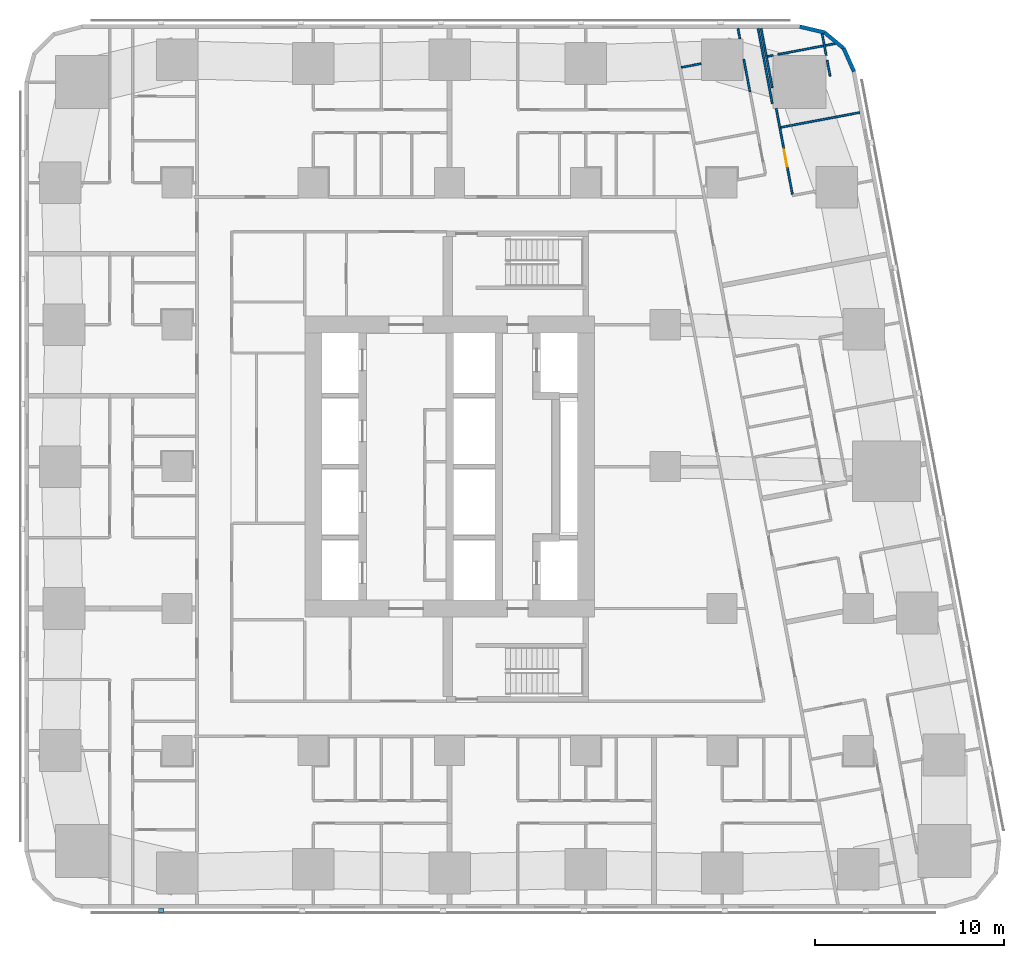
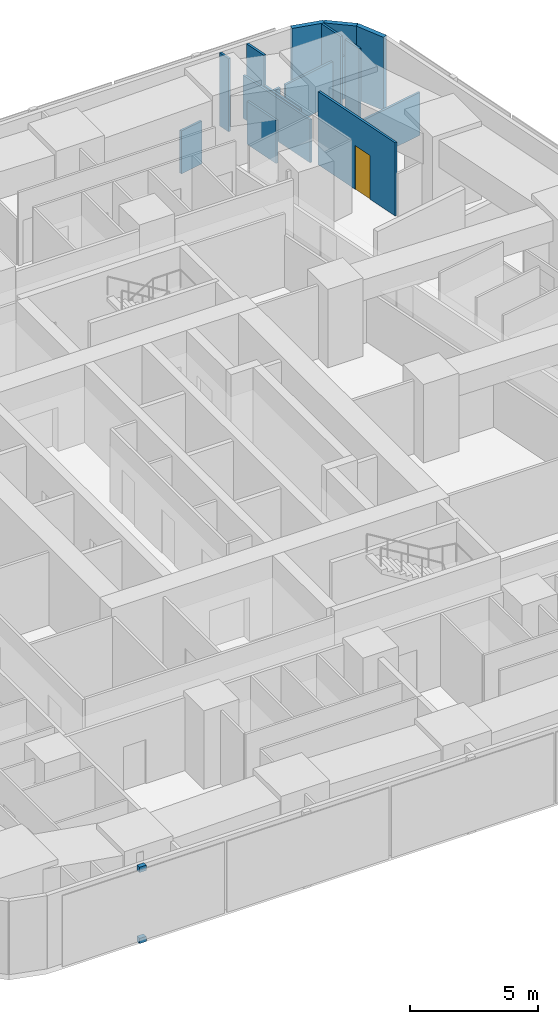
# One storey, part 10 of 15: 15 walls, 2 discrete accessories, 1 door, 1 opening.
"""IFC4 building model written with IfcOpenShell, lengths in metres."""

from ifc_helpers import new_model, si_unit, direction, frame, frame_2d, origin, origin_2d, place, context, subcontext, project, spatial, rectangle, extrude, material, layer, layer_set, type_object, element, fill, save


model = new_model("IFC4")

# Units and contexts
model_context = context("Model", 3, precision=1e-05, world=origin(), true_north=direction((0.0, 1.0)))
body_context = subcontext(model_context, "Body", "Model", "MODEL_VIEW")
ifc_project = project(units=[si_unit("LENGTHUNIT", "METRE"), si_unit("AREAUNIT", "SQUARE_METRE"), si_unit("VOLUMEUNIT", "CUBIC_METRE"), si_unit("PLANEANGLEUNIT", "RADIAN"), si_unit("MASSUNIT", "GRAM", prefix="KILO")], contexts=[model_context])

# Site, building, storey
site_placement = place(None, origin())
site = spatial("IfcSite", under=ifc_project, at=site_placement, CompositionType="ELEMENT")
building_placement = place(site_placement, origin())
building = spatial("IfcBuilding", under=site, at=building_placement, Name="Sheger Commons Tower", CompositionType="ELEMENT")
storey_placement = place(building_placement, frame((0.0, 0.0, 107.89990234375)))
storey = spatial("IfcBuildingStorey", under=building, at=storey_placement, Name="L27", CompositionType="ELEMENT", Elevation=107.89990234375)

# Walls
ifc_material_1 = material(Name="Rendered concrete block masonry, dark grey", Category="masonry")
ifc_layer_1 = layer(ifc_material_1, 0.199951171875)
ifc_layer_set_1 = layer_set([ifc_layer_1], Name="FACADE WALL 200")
wall_type_1 = type_object("IfcWallType", Name="FACADE WALL 200", PredefinedType="SOLIDWALL", material=ifc_layer_set_1)
wall_1_placement = place(storey_placement, frame((42.969970703125, 43.376953125, 0.0), z_axis=(0.0, 0.0, 1.0), x_axis=(-0.406002956633, 0.913871762998, 0.0)))
element("IfcWall", 1, at=wall_1_placement, inside=storey, type_object=wall_type_1, Name="Facade wall L27", PredefinedType="SOLIDWALL", context=body_context, shape_type="SweptSolid", body=[
    extrude(rectangle(XDim=1.33740234375, YDim=0.199951171875, at=frame_2d((0.668701171875, 0.0))), origin(), (0.0, 0.0, 1.0), 3.5),
])
wall_2_placement = place(storey_placement, frame((42.427001953125, 44.59912109375, 0.0), z_axis=(0.0, 0.0, 1.0), x_axis=(-0.770091412544, 0.637933551655, 0.0)))
element("IfcWall", 2, at=wall_2_placement, inside=storey, type_object=wall_type_1, Name="Facade wall L27", PredefinedType="SOLIDWALL", context=body_context, shape_type="SweptSolid", body=[
    extrude(rectangle(XDim=1.324462890625, YDim=0.199951171875, at=frame_2d((0.662109375, 0.0))), origin(), (0.0, 0.0, 1.0), 3.5),
])
wall_3_placement = place(storey_placement, frame((41.406982421875, 45.444091796875, 0.0), z_axis=(0.0, 0.0, 1.0), x_axis=(-0.973453091607, 0.228886606077, 0.0)))
element("IfcWall", 3, at=wall_3_placement, inside=storey, type_object=wall_type_1, Name="Facade wall L27", PredefinedType="SOLIDWALL", context=body_context, shape_type="SweptSolid", body=[
    extrude(rectangle(XDim=1.33642578125, YDim=0.199951171875, at=frame_2d((0.668212890625, 0.0))), origin(), (0.0, 0.0, 1.0), 3.5),
])
ifc_material_2 = material(Name="Gypsum board on steel studs", Category="steel")
ifc_layer_2 = layer(ifc_material_2, 0.10009765625)
ifc_layer_set_2 = layer_set([ifc_layer_2], Name="PARTITION 100")
wall_type_2 = type_object("IfcWallType", Name="PARTITION 100", PredefinedType="PARTITIONING", material=ifc_layer_set_2)
wall_4_placement = place(storey_placement, frame((38.654052734375, 41.68603515625, 0.0), z_axis=(0.0, 0.0, 1.0), x_axis=(-0.185676896978, 0.982610853761, 0.0)))
element("IfcWall", 4, at=wall_4_placement, inside=storey, type_object=wall_type_2, Name="Partition L27", PredefinedType="PARTITIONING", context=body_context, shape_type="SweptSolid", body=[
    extrude(rectangle(XDim=4.033935546875, YDim=0.10009765625, at=frame_2d((2.01708984375, 0.0))), origin(), (0.0, 0.0, 1.0), 2.050048828125),
])
wall_5_placement = place(storey_placement, frame((41.287109375, 45.3701171875, 0.0), z_axis=(0.0, 0.0, 1.0), x_axis=(0.185121628323, -0.982715616405, 0.0)))
element("IfcWall", 5, at=wall_5_placement, inside=storey, type_object=wall_type_2, Name="Partition L27", PredefinedType="PARTITIONING", context=body_context, shape_type="SweptSolid", body=[
    extrude(rectangle(XDim=1.14990234375, YDim=0.10009765625, at=frame_2d((0.574951171875, 0.0))), origin(), (0.0, 0.0, 1.0), 3.5),
])
wall_6_placement = place(storey_placement, frame((41.551025390625, 43.968994140625, 0.0), z_axis=(0.0, 0.0, 1.0), x_axis=(0.185884171512, -0.982571663942, 0.0)))
element("IfcWall", 6, at=wall_6_placement, inside=storey, type_object=wall_type_2, Name="Partition L27", PredefinedType="PARTITIONING", context=body_context, shape_type="SweptSolid", body=[
    extrude(rectangle(XDim=0.849853515625, YDim=0.10009765625, at=frame_2d((0.4248046875, 0.0))), origin(), (0.0, 0.0, 1.0), 3.5),
])
wall_7_placement = place(storey_placement, frame((38.06298828125, 45.64990234375, 0.0), z_axis=(0.0, 0.0, 1.0), x_axis=(0.185677287841, -0.982610779902, 0.0)))
element("IfcWall", 7, at=wall_7_placement, inside=storey, type_object=wall_type_2, Name="Partition L27", PredefinedType="PARTITIONING", context=body_context, shape_type="SweptSolid", body=[
    extrude(rectangle(XDim=1.0400390625, YDim=0.10009765625, at=frame_2d((0.52001953125, 0.0))), origin(), (0.0, 0.0, 1.0), 3.5),
])
wall_8_placement = place(storey_placement, frame((38.256103515625, 44.6279296875, 0.0), z_axis=(0.0, 0.0, 1.0), x_axis=(0.185674153532, -0.982611372166, 0.0)))
element("IfcWall", 8, at=wall_8_placement, inside=storey, type_object=wall_type_2, Name="Partition L27", PredefinedType="PARTITIONING", context=body_context, shape_type="SweptSolid", body=[
    extrude(rectangle(XDim=2.137939453125, YDim=0.10009765625, at=frame_2d((1.06884765625, 0.0))), origin(), (0.0, 0.0, 1.0), 2.050048828125),
])

# Wall, opening, door
wall_9_placement = place(storey_placement, frame((38.862060546875, 41.419921875, 0.0), z_axis=(0.0, 0.0, 1.0), x_axis=(0.185332907641, -0.982675792592, 0.0)))
wall_9 = element("IfcWall", 9, at=wall_9_placement, inside=storey, type_object=wall_type_2, Name="Partition L27", PredefinedType="PARTITIONING", context=body_context, shape_type="SweptSolid", body=[
    extrude(rectangle(XDim=4.62890625, YDim=0.10009765625, at=frame_2d((2.314453125, 0.0))), origin(), (0.0, 0.0, 1.0), 3.5),
])
opening_placement = place(wall_9_placement, frame((2.219970703125, 0.0, 0.0)))
opening = element("IfcOpeningElement", 10, at=opening_placement, cuts=wall_9, Name="Opening D2", PredefinedType="OPENING", context=body_context, shape_type="SweptSolid", body=[
    extrude(rectangle(XDim=0.89990234375, YDim=2.10009765625, at=frame_2d((0.449951171875, 1.050048828125))), frame((0.0, 0.06005859375, 0.0), z_axis=(0.0, -1.0, 0.0), x_axis=(1.0, 0.0, 0.0)), (0.0, 0.0, 1.0), 0.1201171875),
])
ifc_material_3 = material(Name="Timber door set", Category="wood")
door_type = type_object("IfcDoorType", Name="INTERNAL DOOR 900x2100", OperationType="NOTDEFINED", PredefinedType="DOOR", material=ifc_material_3)
door_placement = place(opening_placement, origin())
door = element("IfcDoor", 11, at=door_placement, inside=storey, type_object=door_type, Name="Main bedroom door", OperationType="SINGLE_SWING_LEFT", OverallHeight=2.10009765625, OverallWidth=0.89990234375, PredefinedType="DOOR", context=body_context, shape_type="SweptSolid", body=[
    extrude(rectangle(XDim=0.89990234375, YDim=2.10009765625, at=frame_2d((0.449951171875, 1.050048828125))), frame((0.0, 0.02490234375, 0.0), z_axis=(0.0, -1.0, 0.0), x_axis=(1.0, 0.0, 0.0)), (0.0, 0.0, 1.0), 0.050048828125),
])
fill(opening, door)

# Walls
wall_10_placement = place(storey_placement, frame((36.841064453125, 45.64990234375, 0.0), z_axis=(0.0, 0.0, 1.0), x_axis=(0.185764109712, -0.98259436979, 0.0)))
element("IfcWall", 12, at=wall_10_placement, inside=storey, type_object=wall_type_2, Name="Partition L27", PredefinedType="PARTITIONING", context=body_context, shape_type="SweptSolid", body=[
    extrude(rectangle(XDim=0.54931640625, YDim=0.10009765625, at=frame_2d((0.274658203125, 0.0))), origin(), (0.0, 0.0, 1.0), 3.5),
])
wall_11_placement = place(storey_placement, frame((37.14892578125, 44.01806640625, 0.0), z_axis=(0.0, 0.0, 1.0), x_axis=(0.185712190756, -0.982604183893, 0.0)))
element("IfcWall", 13, at=wall_11_placement, inside=storey, type_object=wall_type_2, Name="Partition L27", PredefinedType="PARTITIONING", context=body_context, shape_type="SweptSolid", body=[
    extrude(rectangle(XDim=1.7392578125, YDim=0.10009765625, at=frame_2d((0.86962890625, 0.0))), origin(), (0.0, 0.0, 1.0), 2.050048828125),
])
wall_12_placement = place(storey_placement, frame((41.968017578125, 44.85009765625, 0.0), z_axis=(0.0, 0.0, 1.0), x_axis=(-0.982566714195, -0.185910333644, 0.0)))
element("IfcWall", 14, at=wall_12_placement, inside=storey, type_object=wall_type_2, Name="Partition L27", PredefinedType="PARTITIONING", context=body_context, shape_type="SweptSolid", body=[
    extrude(rectangle(XDim=3.071533203125, YDim=0.10009765625, at=frame_2d((1.53564453125, 0.0))), origin(), (0.0, 0.0, 1.0), 2.050048828125),
])
wall_13_placement = place(storey_placement, frame((38.69189453125, 44.22998046875, 0.0), z_axis=(0.0, 0.0, 1.0), x_axis=(-0.982944840311, -0.183900627803, 0.0)))
element("IfcWall", 15, at=wall_13_placement, inside=storey, type_object=wall_type_2, Name="Partition L27", PredefinedType="PARTITIONING", context=body_context, shape_type="SweptSolid", body=[
    extrude(rectangle(XDim=0.303955078125, YDim=0.10009765625, at=frame_2d((0.15185546875, 0.0))), origin(), (0.0, 0.0, 1.0), 2.050048828125),
])
wall_14_placement = place(storey_placement, frame((43.277099609375, 41.2119140625, 0.0), z_axis=(0.0, 0.0, 1.0), x_axis=(-0.982665405803, -0.185387972203, 0.0)))
element("IfcWall", 16, at=wall_14_placement, inside=storey, type_object=wall_type_2, Name="Partition L27", PredefinedType="PARTITIONING", context=body_context, shape_type="SweptSolid", body=[
    extrude(rectangle(XDim=4.249755859375, YDim=0.10009765625, at=frame_2d((2.125, 0.0))), origin(), (0.0, 0.0, 1.0), 2.050048828125),
])
wall_15_placement = place(storey_placement, frame((34.889892578125, 43.791015625, 0.0), z_axis=(0.0, 0.0, 1.0), x_axis=(-0.982621304855, -0.185621580763, 0.0)))
element("IfcWall", 17, at=wall_15_placement, inside=storey, type_object=wall_type_2, Name="Partition L27", PredefinedType="PARTITIONING", context=body_context, shape_type="SweptSolid", body=[
    extrude(rectangle(XDim=1.0615234375, YDim=0.10009765625, at=frame_2d((0.53076171875, 0.0))), origin(), (0.0, 0.0, 1.0), 2.050048828125),
])

# Discrete accessories
ifc_material_4 = material(Name="Black painted steel bracket", Category="steel")
discrete_accessory_type = type_object("IfcDiscreteAccessoryType", Name="SCREEN BRACKET 300x200x250", PredefinedType="BRACKET", material=ifc_material_4)
for number, where, z_axis, x_axis, name in (
    (18, (6.37109375, -0.949951171875, -0.099853515625), (0.0, 0.0, 1.0), (1.0, 0.0, 0.0), "Solar screen foot bracket"),
    (19, (6.37109375, -0.949951171875, 3.300048828125), (0.0, 0.0, 1.0), (1.0, 0.0, 0.0), "Solar screen head bracket"),
):
    element("IfcDiscreteAccessory", number, at=place(storey_placement, frame(where, z_axis=z_axis, x_axis=x_axis)), inside=storey, type_object=discrete_accessory_type, Name=name, PredefinedType="BRACKET", context=body_context, shape_type="SweptSolid", body=[
        extrude(rectangle(XDim=0.300048828125, YDim=0.199951171875, at=origin_2d()), origin(), (0.0, 0.0, 1.0), 0.25),
    ])

save(model, "model.ifc")
